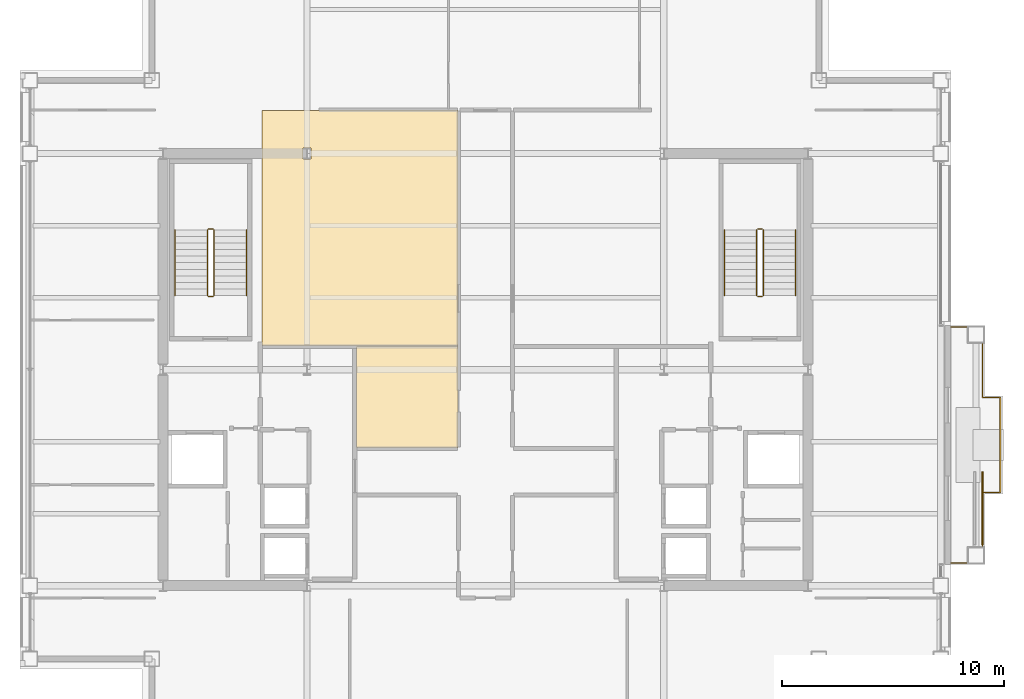
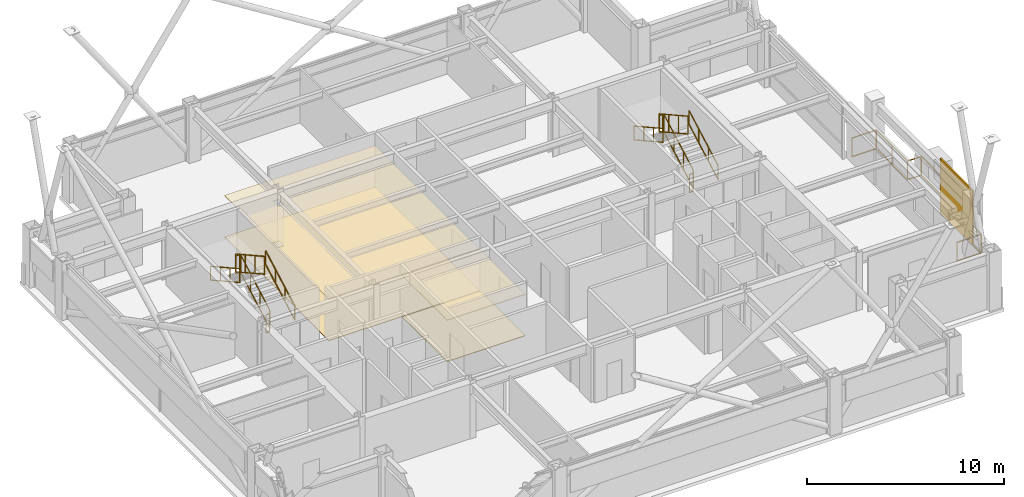
# One storey, part 32 of 33: 13 railings, 4 coverings, 1 shading device.
"""IFC4 building model written with IfcOpenShell, lengths in metres."""

from ifc_helpers import new_model, si_unit, direction, frame, origin, origin_2d, place, context, subcontext, project, spatial, polyline, rectangle, outline, extrude, material, layer, layer_set, type_object, element, save


model = new_model("IFC4")

# Units and contexts
model_context = context("Model", 3, precision=1e-05, world=origin(), true_north=direction((0.0, 1.0)))
body_context = subcontext(model_context, "Body", "Model", "MODEL_VIEW")
ifc_project = project(units=[si_unit("LENGTHUNIT", "METRE"), si_unit("AREAUNIT", "SQUARE_METRE"), si_unit("VOLUMEUNIT", "CUBIC_METRE"), si_unit("PLANEANGLEUNIT", "RADIAN"), si_unit("MASSUNIT", "GRAM", prefix="KILO")], contexts=[model_context])

# Site, building, storey
site_placement = place(None, origin())
site = spatial("IfcSite", under=ifc_project, at=site_placement, CompositionType="ELEMENT")
building_placement = place(site_placement, origin())
building = spatial("IfcBuilding", under=site, at=building_placement, Name="Brelmoor Portico Tower", CompositionType="ELEMENT")
storey_placement = place(building_placement, frame((0.0, 0.0, 183.89990234375)))
storey = spatial("IfcBuildingStorey", under=building, at=storey_placement, Name="L48", CompositionType="ELEMENT", Elevation=183.89990234375)

# Coverings
ifc_material_1 = material(Name="Powder-Coated Aluminium Acoustic Baffle Ceiling", Category="aluminium")
ifc_layer_1 = layer(ifc_material_1, 0.044921875)
ifc_layer_set_1 = layer_set([ifc_layer_1], Name="Powder-Coated Aluminium Acoustic Baffle Ceiling")
covering_type_1 = type_object("IfcCoveringType", Name="CV-CEIL-BAFFLE-45", PredefinedType="CEILING", material=ifc_layer_set_1)
covering_1_placement = place(storey_placement, frame((0.0, 0.0, 2.550048828125)))
element("IfcCovering", 1, at=covering_1_placement, inside=storey, type_object=covering_type_1, Name="L48 Acoustic Suspended Ceiling 01", PredefinedType="CEILING", context=body_context, shape_type="SweptSolid", body=[
    extrude(outline(polyline([(-10.080078125, 11.68994140625), (-1.239990234375, 11.68994140625), (-1.239990234375, 1.090087890625), (-10.080078125, 1.090087890625), (-10.080078125, 11.68994140625)]), holes=[polyline([(-7.875, 9.5), (-7.875, 10.0), (-8.22509765625, 10.0), (-8.22509765625, 9.5), (-7.875, 9.5)])]), origin(), (0.0, 0.0, 1.0), 0.045166015625),
])
ifc_material_2 = material(Name="Slatted FSC Oak Acoustic Feature Ceiling", Category="timber")
ifc_layer_2 = layer(ifc_material_2, 0.052001953125)
ifc_layer_set_2 = layer_set([ifc_layer_2], Name="Slatted FSC Oak Acoustic Feature Ceiling")
covering_type_2 = type_object("IfcCoveringType", Name="CV-CEIL-TIMBER-52", PredefinedType="CEILING", material=ifc_layer_set_2)
covering_2_placement = place(storey_placement, frame((0.0, 0.0, 2.550048828125)))
element("IfcCovering", 2, at=covering_2_placement, inside=storey, type_object=covering_type_2, Name="L48 Acoustic Suspended Ceiling 02", PredefinedType="CEILING", context=body_context, shape_type="SweptSolid", body=[
    extrude(outline(polyline([(-5.820068359375, -3.510009765625), (-5.820068359375, 1.0400390625), (-1.239990234375, 1.0400390625), (-1.239990234375, -3.510009765625), (-5.820068359375, -3.510009765625)])), origin(), (0.0, 0.0, 1.0), 0.052001953125),
])
ifc_material_3 = material(Name="Honed Pearl-Grey Granite Paver Finish", Category="masonry")
ifc_layer_3 = layer(ifc_material_3, 0.0380859375)
ifc_layer_set_3 = layer_set([ifc_layer_3], Name="Honed Pearl-Grey Granite Paver Finish")
covering_type_3 = type_object("IfcCoveringType", Name="CV-FLR-GRANITE-38", PredefinedType="FLOORING", material=ifc_layer_set_3)
covering_3_placement = place(storey_placement, origin())
element("IfcCovering", 3, at=covering_3_placement, inside=storey, type_object=covering_type_3, Name="L48 Architectural Floor Finish 02", PredefinedType="FLOORING", context=body_context, shape_type="SweptSolid", body=[
    extrude(outline(polyline([(-5.820068359375, -3.510009765625), (-5.820068359375, 1.0400390625), (-1.239990234375, 1.0400390625), (-1.239990234375, -3.510009765625), (-5.820068359375, -3.510009765625)])), origin(), (0.0, 0.0, 1.0), 0.0380859375),
])
ifc_material_4 = material(Name="Polished Pale-Aggregate Cementitious Terrazzo", Category="stone")
ifc_layer_4 = layer(ifc_material_4, 0.030029296875)
ifc_layer_set_4 = layer_set([ifc_layer_4], Name="Polished Pale-Aggregate Cementitious Terrazzo")
covering_type_4 = type_object("IfcCoveringType", Name="CV-FLR-TERRAZZO-30", PredefinedType="FLOORING", material=ifc_layer_set_4)
covering_4_placement = place(storey_placement, origin())
element("IfcCovering", 4, at=covering_4_placement, inside=storey, type_object=covering_type_4, Name="L48 Architectural Floor Finish 01", PredefinedType="FLOORING", context=body_context, shape_type="SweptSolid", body=[
    extrude(outline(polyline([(-10.080078125, 11.68994140625), (-1.239990234375, 11.68994140625), (-1.239990234375, 1.090087890625), (-10.080078125, 1.090087890625), (-10.080078125, 11.68994140625)]), holes=[polyline([(-7.875, 9.5), (-7.875, 10.0), (-8.22509765625, 10.0), (-8.22509765625, 9.5), (-7.875, 9.5)])]), origin(), (0.0, 0.0, 1.0), 0.030029296875),
])

# Railings
ifc_material_5 = material(Name="Perforated Pale Champagne Aluminium Fretwork Guard", Category="aluminium")
railing_type_1 = type_object("IfcRailingType", Name="RL-BALUSTRADE-1200", PredefinedType="BALUSTRADE", material=ifc_material_5)
railing_1_placement = place(storey_placement, frame((21.0, -8.719970703125, 0.0)))
element("IfcRailing", 5, at=railing_1_placement, inside=storey, type_object=railing_type_1, Name="L48 Tree Balcony Fretwork Balustrade E", PredefinedType="BALUSTRADE", context=body_context, shape_type="SweptSolid", body=[
    extrude(rectangle(XDim=0.048095703125, YDim=0.048095703125, at=origin_2d()), frame((0.0, 0.0, 1.17578125), z_axis=(1.0, 0.0, 0.0), x_axis=(0.0, 1.0, 0.0)), (0.0, 0.0, 1.0), 1.429931640625),
    extrude(rectangle(XDim=0.048095703125, YDim=0.048095703125, at=origin_2d()), frame((0.0, 0.0, 0.02392578125), z_axis=(1.0, 0.0, 0.0), x_axis=(0.0, 1.0, 0.0)), (0.0, 0.0, 1.0), 1.429931640625),
    extrude(rectangle(XDim=0.048095703125, YDim=0.048095703125, at=origin_2d()), frame((1.429931640625, 0.0, 1.17578125), z_axis=(0.0, 1.0, 0.0), x_axis=(-1.0, 0.0, 0.0)), (0.0, 0.0, 1.0), 3.169921875),
    extrude(rectangle(XDim=0.048095703125, YDim=0.048095703125, at=origin_2d()), frame((1.429931640625, 0.0, 0.02392578125), z_axis=(0.0, 1.0, 0.0), x_axis=(-1.0, 0.0, 0.0)), (0.0, 0.0, 1.0), 3.169921875),
    extrude(rectangle(XDim=0.048095703125, YDim=0.048095703125, at=origin_2d()), frame((1.429931640625, 3.169921875, 1.17578125), z_axis=(1.0, 0.0, 0.0), x_axis=(0.0, 1.0, 0.0)), (0.0, 0.0, 1.0), 0.800048828125),
    extrude(rectangle(XDim=0.048095703125, YDim=0.048095703125, at=origin_2d()), frame((1.429931640625, 3.169921875, 0.02392578125), z_axis=(1.0, 0.0, 0.0), x_axis=(0.0, 1.0, 0.0)), (0.0, 0.0, 1.0), 0.800048828125),
    extrude(rectangle(XDim=0.048095703125, YDim=0.048095703125, at=origin_2d()), frame((2.22998046875, 3.169921875, 1.17578125), z_axis=(0.0, 1.0, 0.0), x_axis=(-1.0, 0.0, 0.0)), (0.0, 0.0, 1.0), 4.300048828125),
    extrude(rectangle(XDim=0.048095703125, YDim=0.048095703125, at=origin_2d()), frame((2.22998046875, 3.169921875, 0.02392578125), z_axis=(0.0, 1.0, 0.0), x_axis=(-1.0, 0.0, 0.0)), (0.0, 0.0, 1.0), 4.300048828125),
    extrude(rectangle(XDim=0.048095703125, YDim=0.048095703125, at=origin_2d()), frame((2.22998046875, 7.469970703125, 1.17578125), z_axis=(-1.0, 0.0, 0.0), x_axis=(0.0, -1.0, 0.0)), (0.0, 0.0, 1.0), 0.800048828125),
    extrude(rectangle(XDim=0.048095703125, YDim=0.048095703125, at=origin_2d()), frame((2.22998046875, 7.469970703125, 0.02392578125), z_axis=(-1.0, 0.0, 0.0), x_axis=(0.0, -1.0, 0.0)), (0.0, 0.0, 1.0), 0.800048828125),
    extrude(rectangle(XDim=0.048095703125, YDim=0.048095703125, at=origin_2d()), frame((1.429931640625, 7.469970703125, 1.17578125), z_axis=(0.0, 1.0, 0.0), x_axis=(-1.0, 0.0, 0.0)), (0.0, 0.0, 1.0), 3.169921875),
    extrude(rectangle(XDim=0.048095703125, YDim=0.048095703125, at=origin_2d()), frame((1.429931640625, 7.469970703125, 0.02392578125), z_axis=(0.0, 1.0, 0.0), x_axis=(-1.0, 0.0, 0.0)), (0.0, 0.0, 1.0), 3.169921875),
    extrude(rectangle(XDim=0.048095703125, YDim=0.048095703125, at=origin_2d()), frame((1.429931640625, 10.639892578125, 1.17578125), z_axis=(-1.0, 0.0, 0.0), x_axis=(0.0, -1.0, 0.0)), (0.0, 0.0, 1.0), 1.429931640625),
    extrude(rectangle(XDim=0.048095703125, YDim=0.048095703125, at=origin_2d()), frame((1.429931640625, 10.639892578125, 0.02392578125), z_axis=(-1.0, 0.0, 0.0), x_axis=(0.0, -1.0, 0.0)), (0.0, 0.0, 1.0), 1.429931640625),
    extrude(rectangle(XDim=0.0419921875, YDim=0.0419921875, at=origin_2d()), origin(), (0.0, 0.0, 1.0), 1.15185546875),
    extrude(rectangle(XDim=0.0419921875, YDim=0.0419921875, at=origin_2d()), frame((1.429931640625, 0.0, 0.0)), (0.0, 0.0, 1.0), 1.15185546875),
    extrude(rectangle(XDim=0.0419921875, YDim=0.0419921875, at=origin_2d()), frame((1.429931640625, 1.5849609375, 0.0)), (0.0, 0.0, 1.0), 1.15185546875),
    extrude(rectangle(XDim=0.0419921875, YDim=0.0419921875, at=origin_2d()), frame((1.429931640625, 3.169921875, 0.0)), (0.0, 0.0, 1.0), 1.15185546875),
    extrude(rectangle(XDim=0.0419921875, YDim=0.0419921875, at=origin_2d()), frame((2.22998046875, 3.169921875, 0.0)), (0.0, 0.0, 1.0), 1.15185546875),
    extrude(rectangle(XDim=0.0419921875, YDim=0.0419921875, at=origin_2d()), frame((2.22998046875, 5.31982421875, 0.0)), (0.0, 0.0, 1.0), 1.15185546875),
    extrude(rectangle(XDim=0.0419921875, YDim=0.0419921875, at=origin_2d()), frame((2.22998046875, 7.469970703125, 0.0)), (0.0, 0.0, 1.0), 1.15185546875),
    extrude(rectangle(XDim=0.0419921875, YDim=0.0419921875, at=origin_2d()), frame((1.429931640625, 7.469970703125, 0.0)), (0.0, 0.0, 1.0), 1.15185546875),
    extrude(rectangle(XDim=0.0419921875, YDim=0.0419921875, at=origin_2d()), frame((1.429931640625, 9.054931640625, 0.0)), (0.0, 0.0, 1.0), 1.15185546875),
    extrude(rectangle(XDim=0.0419921875, YDim=0.0419921875, at=origin_2d()), frame((1.429931640625, 10.639892578125, 0.0)), (0.0, 0.0, 1.0), 1.15185546875),
    extrude(rectangle(XDim=0.0419921875, YDim=0.0419921875, at=origin_2d()), frame((0.0, 10.639892578125, 0.0)), (0.0, 0.0, 1.0), 1.15185546875),
])
ifc_material_6 = material(Name="Painted Tubular Steel Q235B", Category="steel")
railing_type_2 = type_object("IfcRailingType", Name="RL-STAIR-GUARD", PredefinedType="GUARDRAIL", material=ifc_material_6)
railing_2_placement = place(storey_placement, frame((-12.239990234375, 3.35009765625, 0.163818359375)))
element("IfcRailing", 6, at=railing_2_placement, inside=storey, type_object=railing_type_2, Name="L48 ST-W stair guard 1", PredefinedType="GUARDRAIL", context=body_context, shape_type="SweptSolid", body=[
    extrude(rectangle(XDim=0.048095703125, YDim=0.048095703125, at=origin_2d()), frame((0.0, 0.0, 1.1259765625), z_axis=(0.0, 0.87448821551, 0.485046761595), x_axis=(-1.0, 0.0, 0.0)), (0.0, 0.0, 1.0), 3.373291015625),
    extrude(rectangle(XDim=0.048095703125, YDim=0.048095703125, at=origin_2d()), frame((0.0, 0.0, 0.02392578125), z_axis=(0.0, 0.87448821551, 0.485046761595), x_axis=(-1.0, 0.0, 0.0)), (0.0, 0.0, 1.0), 3.373291015625),
    extrude(rectangle(XDim=0.0419921875, YDim=0.0419921875, at=origin_2d()), origin(), (0.0, 0.0, 1.0), 1.101806640625),
    extrude(rectangle(XDim=0.0419921875, YDim=0.0419921875, at=origin_2d()), frame((0.0, 0.9833984375, 0.54541015625)), (0.0, 0.0, 1.0), 1.101806640625),
    extrude(rectangle(XDim=0.0419921875, YDim=0.0419921875, at=origin_2d()), frame((0.0, 1.966552734375, 1.0908203125)), (0.0, 0.0, 1.0), 1.101806640625),
    extrude(rectangle(XDim=0.0419921875, YDim=0.0419921875, at=origin_2d()), frame((0.0, 2.949951171875, 1.63623046875)), (0.0, 0.0, 1.0), 1.101806640625),
])
railing_3_placement = place(storey_placement, frame((-12.2900390625, 6.35009765625, 1.800048828125)))
element("IfcRailing", 7, at=railing_3_placement, inside=storey, type_object=railing_type_2, Name="L48 ST-W stair guard 2", PredefinedType="GUARDRAIL", context=body_context, shape_type="SweptSolid", body=[
    extrude(rectangle(XDim=0.048095703125, YDim=0.048095703125, at=origin_2d()), frame((0.0, 0.0, 1.1259765625), z_axis=(-1.0, 0.0, 0.0), x_axis=(0.0, -1.0, 0.0)), (0.0, 0.0, 1.0), 0.199951171875),
    extrude(rectangle(XDim=0.048095703125, YDim=0.048095703125, at=origin_2d()), frame((0.0, 0.0, 0.02392578125), z_axis=(-1.0, 0.0, 0.0), x_axis=(0.0, -1.0, 0.0)), (0.0, 0.0, 1.0), 0.199951171875),
    extrude(rectangle(XDim=0.0419921875, YDim=0.0419921875, at=origin_2d()), origin(), (0.0, 0.0, 1.0), 1.101806640625),
    extrude(rectangle(XDim=0.0419921875, YDim=0.0419921875, at=origin_2d()), frame((-0.199951171875, 0.0, 0.0)), (0.0, 0.0, 1.0), 1.101806640625),
])
railing_4_placement = place(storey_placement, frame((-12.5400390625, 6.300048828125, 1.963623046875)))
element("IfcRailing", 8, at=railing_4_placement, inside=storey, type_object=railing_type_2, Name="L48 ST-W stair guard 3", PredefinedType="GUARDRAIL", context=body_context, shape_type="SweptSolid", body=[
    extrude(rectangle(XDim=0.048095703125, YDim=0.048095703125, at=origin_2d()), frame((0.0, 0.0, 1.1259765625), z_axis=(0.0, -0.874457516365, 0.485102104791), x_axis=(1.0, 0.0, 0.0)), (0.0, 0.0, 1.0), 3.37353515625),
    extrude(rectangle(XDim=0.048095703125, YDim=0.048095703125, at=origin_2d()), frame((0.0, 0.0, 0.02392578125), z_axis=(0.0, -0.874457516365, 0.485102104791), x_axis=(1.0, 0.0, 0.0)), (0.0, 0.0, 1.0), 3.37353515625),
    extrude(rectangle(XDim=0.0419921875, YDim=0.0419921875, at=origin_2d()), origin(), (0.0, 0.0, 1.0), 1.101806640625),
    extrude(rectangle(XDim=0.0419921875, YDim=0.0419921875, at=origin_2d()), frame((0.0, -0.9833984375, 0.54541015625)), (0.0, 0.0, 1.0), 1.101806640625),
    extrude(rectangle(XDim=0.0419921875, YDim=0.0419921875, at=origin_2d()), frame((0.0, -1.966552734375, 1.091064453125)), (0.0, 0.0, 1.0), 1.101806640625),
    extrude(rectangle(XDim=0.0419921875, YDim=0.0419921875, at=origin_2d()), frame((0.0, -2.949951171875, 1.636474609375)), (0.0, 0.0, 1.0), 1.101806640625),
])
railing_5_placement = place(storey_placement, frame((-12.2900390625, 3.300048828125, 0.0)))
element("IfcRailing", 9, at=railing_5_placement, inside=storey, type_object=railing_type_2, Name="L48 ST-W stair guard 4", PredefinedType="GUARDRAIL", context=body_context, shape_type="SweptSolid", body=[
    extrude(rectangle(XDim=0.048095703125, YDim=0.048095703125, at=origin_2d()), frame((0.0, 0.0, 1.1259765625), z_axis=(-1.0, 0.0, 0.0), x_axis=(0.0, -1.0, 0.0)), (0.0, 0.0, 1.0), 0.199951171875),
    extrude(rectangle(XDim=0.048095703125, YDim=0.048095703125, at=origin_2d()), frame((0.0, 0.0, 0.02392578125), z_axis=(-1.0, 0.0, 0.0), x_axis=(0.0, -1.0, 0.0)), (0.0, 0.0, 1.0), 0.199951171875),
    extrude(rectangle(XDim=0.0419921875, YDim=0.0419921875, at=origin_2d()), origin(), (0.0, 0.0, 1.0), 1.101806640625),
    extrude(rectangle(XDim=0.0419921875, YDim=0.0419921875, at=origin_2d()), frame((-0.199951171875, 0.0, 0.0)), (0.0, 0.0, 1.0), 1.101806640625),
])
railing_6_placement = place(storey_placement, frame((12.5400390625, 3.35009765625, 0.163818359375)))
element("IfcRailing", 10, at=railing_6_placement, inside=storey, type_object=railing_type_2, Name="L48 ST-E stair guard 1", PredefinedType="GUARDRAIL", context=body_context, shape_type="SweptSolid", body=[
    extrude(rectangle(XDim=0.048095703125, YDim=0.048095703125, at=origin_2d()), frame((0.0, 0.0, 1.1259765625), z_axis=(0.0, 0.87448821551, 0.485046761595), x_axis=(-1.0, 0.0, 0.0)), (0.0, 0.0, 1.0), 3.373291015625),
    extrude(rectangle(XDim=0.048095703125, YDim=0.048095703125, at=origin_2d()), frame((0.0, 0.0, 0.02392578125), z_axis=(0.0, 0.87448821551, 0.485046761595), x_axis=(-1.0, 0.0, 0.0)), (0.0, 0.0, 1.0), 3.373291015625),
    extrude(rectangle(XDim=0.0419921875, YDim=0.0419921875, at=origin_2d()), origin(), (0.0, 0.0, 1.0), 1.101806640625),
    extrude(rectangle(XDim=0.0419921875, YDim=0.0419921875, at=origin_2d()), frame((0.0, 0.9833984375, 0.54541015625)), (0.0, 0.0, 1.0), 1.101806640625),
    extrude(rectangle(XDim=0.0419921875, YDim=0.0419921875, at=origin_2d()), frame((0.0, 1.966552734375, 1.0908203125)), (0.0, 0.0, 1.0), 1.101806640625),
    extrude(rectangle(XDim=0.0419921875, YDim=0.0419921875, at=origin_2d()), frame((0.0, 2.949951171875, 1.63623046875)), (0.0, 0.0, 1.0), 1.101806640625),
])
railing_7_placement = place(storey_placement, frame((12.489990234375, 6.35009765625, 1.800048828125)))
element("IfcRailing", 11, at=railing_7_placement, inside=storey, type_object=railing_type_2, Name="L48 ST-E stair guard 2", PredefinedType="GUARDRAIL", context=body_context, shape_type="SweptSolid", body=[
    extrude(rectangle(XDim=0.048095703125, YDim=0.048095703125, at=origin_2d()), frame((0.0, 0.0, 1.1259765625), z_axis=(-1.0, 0.0, 0.0), x_axis=(0.0, -1.0, 0.0)), (0.0, 0.0, 1.0), 0.199951171875),
    extrude(rectangle(XDim=0.048095703125, YDim=0.048095703125, at=origin_2d()), frame((0.0, 0.0, 0.02392578125), z_axis=(-1.0, 0.0, 0.0), x_axis=(0.0, -1.0, 0.0)), (0.0, 0.0, 1.0), 0.199951171875),
    extrude(rectangle(XDim=0.0419921875, YDim=0.0419921875, at=origin_2d()), origin(), (0.0, 0.0, 1.0), 1.101806640625),
    extrude(rectangle(XDim=0.0419921875, YDim=0.0419921875, at=origin_2d()), frame((-0.199951171875, 0.0, 0.0)), (0.0, 0.0, 1.0), 1.101806640625),
])
railing_8_placement = place(storey_placement, frame((12.239990234375, 6.300048828125, 1.963623046875)))
element("IfcRailing", 12, at=railing_8_placement, inside=storey, type_object=railing_type_2, Name="L48 ST-E stair guard 3", PredefinedType="GUARDRAIL", context=body_context, shape_type="SweptSolid", body=[
    extrude(rectangle(XDim=0.048095703125, YDim=0.048095703125, at=origin_2d()), frame((0.0, 0.0, 1.1259765625), z_axis=(0.0, -0.874457516365, 0.485102104791), x_axis=(1.0, 0.0, 0.0)), (0.0, 0.0, 1.0), 3.37353515625),
    extrude(rectangle(XDim=0.048095703125, YDim=0.048095703125, at=origin_2d()), frame((0.0, 0.0, 0.02392578125), z_axis=(0.0, -0.874457516365, 0.485102104791), x_axis=(1.0, 0.0, 0.0)), (0.0, 0.0, 1.0), 3.37353515625),
    extrude(rectangle(XDim=0.0419921875, YDim=0.0419921875, at=origin_2d()), origin(), (0.0, 0.0, 1.0), 1.101806640625),
    extrude(rectangle(XDim=0.0419921875, YDim=0.0419921875, at=origin_2d()), frame((0.0, -0.9833984375, 0.54541015625)), (0.0, 0.0, 1.0), 1.101806640625),
    extrude(rectangle(XDim=0.0419921875, YDim=0.0419921875, at=origin_2d()), frame((0.0, -1.966552734375, 1.091064453125)), (0.0, 0.0, 1.0), 1.101806640625),
    extrude(rectangle(XDim=0.0419921875, YDim=0.0419921875, at=origin_2d()), frame((0.0, -2.949951171875, 1.636474609375)), (0.0, 0.0, 1.0), 1.101806640625),
])
railing_9_placement = place(storey_placement, frame((12.489990234375, 3.300048828125, 0.0)))
element("IfcRailing", 13, at=railing_9_placement, inside=storey, type_object=railing_type_2, Name="L48 ST-E stair guard 4", PredefinedType="GUARDRAIL", context=body_context, shape_type="SweptSolid", body=[
    extrude(rectangle(XDim=0.048095703125, YDim=0.048095703125, at=origin_2d()), frame((0.0, 0.0, 1.1259765625), z_axis=(-1.0, 0.0, 0.0), x_axis=(0.0, -1.0, 0.0)), (0.0, 0.0, 1.0), 0.199951171875),
    extrude(rectangle(XDim=0.048095703125, YDim=0.048095703125, at=origin_2d()), frame((0.0, 0.0, 0.02392578125), z_axis=(-1.0, 0.0, 0.0), x_axis=(0.0, -1.0, 0.0)), (0.0, 0.0, 1.0), 0.199951171875),
    extrude(rectangle(XDim=0.0419921875, YDim=0.0419921875, at=origin_2d()), origin(), (0.0, 0.0, 1.0), 1.101806640625),
    extrude(rectangle(XDim=0.0419921875, YDim=0.0419921875, at=origin_2d()), frame((-0.199951171875, 0.0, 0.0)), (0.0, 0.0, 1.0), 1.101806640625),
])
ifc_material_7 = material(Name="Brushed Stainless Steel 304", Category="steel")
railing_type_3 = type_object("IfcRailingType", Name="RL-STAIR-HANDRAIL", PredefinedType="HANDRAIL", material=ifc_material_7)
railing_10_placement = place(storey_placement, frame((-10.780029296875, 3.35009765625, 0.163818359375)))
element("IfcRailing", 14, at=railing_10_placement, inside=storey, type_object=railing_type_3, Name="L48 ST-W stair handrail 1", PredefinedType="HANDRAIL", context=body_context, shape_type="SweptSolid", body=[
    extrude(rectangle(XDim=0.048095703125, YDim=0.048095703125, at=origin_2d()), frame((0.0, 0.0, 0.8759765625), z_axis=(0.0, 0.87448821551, 0.485046761595), x_axis=(-1.0, 0.0, 0.0)), (0.0, 0.0, 1.0), 3.373291015625),
    extrude(rectangle(XDim=0.048095703125, YDim=0.048095703125, at=origin_2d()), frame((0.0, 0.0, 0.02392578125), z_axis=(0.0, 0.87448821551, 0.485046761595), x_axis=(-1.0, 0.0, 0.0)), (0.0, 0.0, 1.0), 3.373291015625),
    extrude(rectangle(XDim=0.0419921875, YDim=0.0419921875, at=origin_2d()), origin(), (0.0, 0.0, 1.0), 0.851806640625),
    extrude(rectangle(XDim=0.0419921875, YDim=0.0419921875, at=origin_2d()), frame((0.0, 0.9833984375, 0.54541015625)), (0.0, 0.0, 1.0), 0.851806640625),
    extrude(rectangle(XDim=0.0419921875, YDim=0.0419921875, at=origin_2d()), frame((0.0, 1.966552734375, 1.0908203125)), (0.0, 0.0, 1.0), 0.851806640625),
    extrude(rectangle(XDim=0.0419921875, YDim=0.0419921875, at=origin_2d()), frame((0.0, 2.949951171875, 1.63623046875)), (0.0, 0.0, 1.0), 0.851806640625),
])
railing_11_placement = place(storey_placement, frame((-14.0, 6.300048828125, 1.963623046875)))
element("IfcRailing", 15, at=railing_11_placement, inside=storey, type_object=railing_type_3, Name="L48 ST-W stair handrail 2", PredefinedType="HANDRAIL", context=body_context, shape_type="SweptSolid", body=[
    extrude(rectangle(XDim=0.048095703125, YDim=0.048095703125, at=origin_2d()), frame((0.0, 0.0, 0.8759765625), z_axis=(0.0, -0.874457516365, 0.485102104791), x_axis=(1.0, 0.0, 0.0)), (0.0, 0.0, 1.0), 3.37353515625),
    extrude(rectangle(XDim=0.048095703125, YDim=0.048095703125, at=origin_2d()), frame((0.0, 0.0, 0.02392578125), z_axis=(0.0, -0.874457516365, 0.485102104791), x_axis=(1.0, 0.0, 0.0)), (0.0, 0.0, 1.0), 3.37353515625),
    extrude(rectangle(XDim=0.0419921875, YDim=0.0419921875, at=origin_2d()), origin(), (0.0, 0.0, 1.0), 0.851806640625),
    extrude(rectangle(XDim=0.0419921875, YDim=0.0419921875, at=origin_2d()), frame((0.0, -0.9833984375, 0.54541015625)), (0.0, 0.0, 1.0), 0.851806640625),
    extrude(rectangle(XDim=0.0419921875, YDim=0.0419921875, at=origin_2d()), frame((0.0, -1.966552734375, 1.091064453125)), (0.0, 0.0, 1.0), 0.851806640625),
    extrude(rectangle(XDim=0.0419921875, YDim=0.0419921875, at=origin_2d()), frame((0.0, -2.949951171875, 1.636474609375)), (0.0, 0.0, 1.0), 0.851806640625),
])
railing_12_placement = place(storey_placement, frame((14.0, 3.35009765625, 0.163818359375)))
element("IfcRailing", 16, at=railing_12_placement, inside=storey, type_object=railing_type_3, Name="L48 ST-E stair handrail 1", PredefinedType="HANDRAIL", context=body_context, shape_type="SweptSolid", body=[
    extrude(rectangle(XDim=0.048095703125, YDim=0.048095703125, at=origin_2d()), frame((0.0, 0.0, 0.8759765625), z_axis=(0.0, 0.87448821551, 0.485046761595), x_axis=(-1.0, 0.0, 0.0)), (0.0, 0.0, 1.0), 3.373291015625),
    extrude(rectangle(XDim=0.048095703125, YDim=0.048095703125, at=origin_2d()), frame((0.0, 0.0, 0.02392578125), z_axis=(0.0, 0.87448821551, 0.485046761595), x_axis=(-1.0, 0.0, 0.0)), (0.0, 0.0, 1.0), 3.373291015625),
    extrude(rectangle(XDim=0.0419921875, YDim=0.0419921875, at=origin_2d()), origin(), (0.0, 0.0, 1.0), 0.851806640625),
    extrude(rectangle(XDim=0.0419921875, YDim=0.0419921875, at=origin_2d()), frame((0.0, 0.9833984375, 0.54541015625)), (0.0, 0.0, 1.0), 0.851806640625),
    extrude(rectangle(XDim=0.0419921875, YDim=0.0419921875, at=origin_2d()), frame((0.0, 1.966552734375, 1.0908203125)), (0.0, 0.0, 1.0), 0.851806640625),
    extrude(rectangle(XDim=0.0419921875, YDim=0.0419921875, at=origin_2d()), frame((0.0, 2.949951171875, 1.63623046875)), (0.0, 0.0, 1.0), 0.851806640625),
])
railing_13_placement = place(storey_placement, frame((10.780029296875, 6.300048828125, 1.963623046875)))
element("IfcRailing", 17, at=railing_13_placement, inside=storey, type_object=railing_type_3, Name="L48 ST-E stair handrail 2", PredefinedType="HANDRAIL", context=body_context, shape_type="SweptSolid", body=[
    extrude(rectangle(XDim=0.048095703125, YDim=0.048095703125, at=origin_2d()), frame((0.0, 0.0, 0.8759765625), z_axis=(0.0, -0.874457516365, 0.485102104791), x_axis=(1.0, 0.0, 0.0)), (0.0, 0.0, 1.0), 3.37353515625),
    extrude(rectangle(XDim=0.048095703125, YDim=0.048095703125, at=origin_2d()), frame((0.0, 0.0, 0.02392578125), z_axis=(0.0, -0.874457516365, 0.485102104791), x_axis=(1.0, 0.0, 0.0)), (0.0, 0.0, 1.0), 3.37353515625),
    extrude(rectangle(XDim=0.0419921875, YDim=0.0419921875, at=origin_2d()), origin(), (0.0, 0.0, 1.0), 0.851806640625),
    extrude(rectangle(XDim=0.0419921875, YDim=0.0419921875, at=origin_2d()), frame((0.0, -0.9833984375, 0.54541015625)), (0.0, 0.0, 1.0), 0.851806640625),
    extrude(rectangle(XDim=0.0419921875, YDim=0.0419921875, at=origin_2d()), frame((0.0, -1.966552734375, 1.091064453125)), (0.0, 0.0, 1.0), 0.851806640625),
    extrude(rectangle(XDim=0.0419921875, YDim=0.0419921875, at=origin_2d()), frame((0.0, -2.949951171875, 1.636474609375)), (0.0, 0.0, 1.0), 0.851806640625),
])

# Shading device
ifc_material_8 = material(Name="Powder-Coated Aluminium Shuttered Jalousie", Category="aluminium")
ifc_layer_5 = layer(ifc_material_8, 0.080078125)
ifc_layer_set_5 = layer_set([ifc_layer_5], Name="Powder-Coated Aluminium Shuttered Jalousie")
shading_device_type = type_object("IfcShadingDeviceType", Name="SD-JALOUSIE-LOGGIA", PredefinedType="JALOUSIE", material=ifc_layer_set_5)
shading_device_placement = place(storey_placement, frame((22.429931640625, -6.25, 0.000244140625), z_axis=(0.0, 0.0, 1.0), x_axis=(0.0, 1.0, 0.0)))
element("IfcShadingDevice", 18, at=shading_device_placement, inside=storey, type_object=shading_device_type, Name="L48 Loggia Shuttered Jalousie E", PredefinedType="JALOUSIE", context=body_context, shape_type="SweptSolid", body=[
    extrude(rectangle(XDim=3.300048828125, YDim=0.080078125, at=origin_2d()), origin(), (0.0, 0.0, 1.0), 3.39990234375),
])

save(model, "model.ifc")
